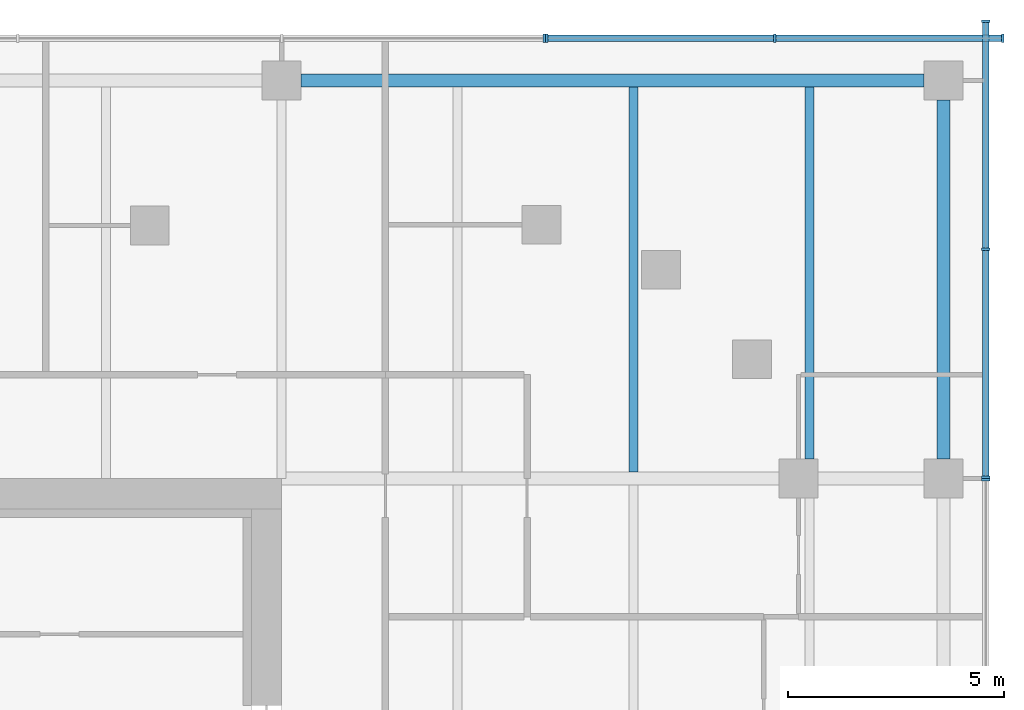
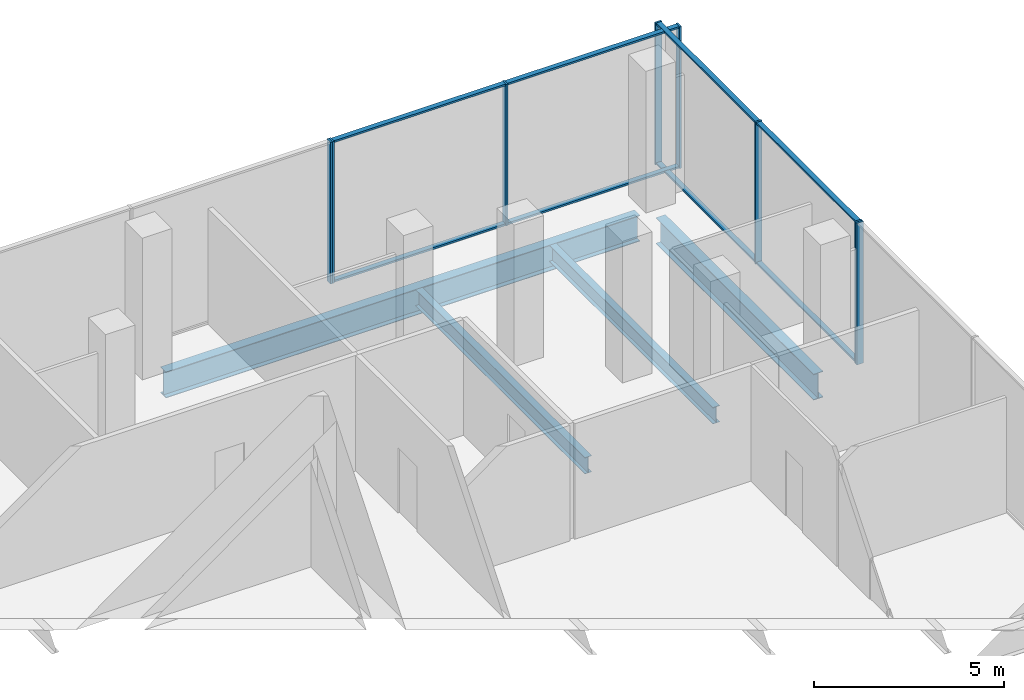
# One storey, part 15 of 33: 16 members, 4 beams, 4 elements without a shape of their own.
"""IFC4 building model written with IfcOpenShell, lengths in metres."""

from ifc_helpers import new_model, si_unit, direction, frame, origin, origin_2d, place, context, subcontext, project, spatial, rectangle, i_section, extrude, material, material_profile, profile_set, type_object, element, aggregate, save


model = new_model("IFC4")

# Units and contexts
model_context = context("Model", 3, precision=1e-05, world=origin(), true_north=direction((0.0, 1.0)))
body_context = subcontext(model_context, "Body", "Model", "MODEL_VIEW")
ifc_project = project(units=[si_unit("LENGTHUNIT", "METRE"), si_unit("AREAUNIT", "SQUARE_METRE"), si_unit("VOLUMEUNIT", "CUBIC_METRE"), si_unit("PLANEANGLEUNIT", "RADIAN"), si_unit("MASSUNIT", "GRAM", prefix="KILO")], contexts=[model_context])

# Site, building, storey
site_placement = place(None, origin())
site = spatial("IfcSite", under=ifc_project, at=site_placement, CompositionType="ELEMENT")
building_placement = place(site_placement, origin())
building = spatial("IfcBuilding", under=site, at=building_placement, Name="Tessera Gate Towers", CompositionType="ELEMENT")
storey_placement = place(building_placement, frame((0.0, 0.0, 7.199951171875)))
storey = spatial("IfcBuildingStorey", under=building, at=storey_placement, Name="L01", CompositionType="ELEMENT", Elevation=7.199951171875)

# Beams
ifc_material_1 = material(Name="Steel 350W", Category="steel")
ifc_material_profile_1 = material_profile(ifc_material_1, i_section(OverallWidth=0.2919921875, OverallDepth=0.8349609375, WebThickness=0.013916015625, FlangeThickness=0.018798828125, at=origin_2d()), Name="W840x176")
ifc_profile_set_1 = profile_set([ifc_material_profile_1], Name="Steel 350W")
beam_type_1 = type_object("IfcBeamType", Name="FLOOR GIRDER W840x176", PredefinedType="BEAM", material=ifc_profile_set_1)
beam_1_placement = place(storey_placement, frame((122.449951171875, 58.0, -0.66748046875), z_axis=(1.0, 0.0, 0.0), x_axis=(0.0, 1.0, 0.0)))
element("IfcBeam", 1, at=beam_1_placement, inside=storey, type_object=beam_type_1, Name="PD-GD-L01-234", PredefinedType="BEAM", context=body_context, shape_type="SweptSolid", body=[
    extrude(i_section(OverallWidth=0.2919921875, OverallDepth=0.8349609375, WebThickness=0.013916015625, FlangeThickness=0.018798828125, at=origin_2d()), origin(), (0.0, 0.0, 1.0), 14.400146484375),
])
beam_2_placement = place(storey_placement, frame((137.300048828125, 49.25, -0.66748046875), z_axis=(0.0, 1.0, 0.0), x_axis=(-1.0, 0.0, 0.0)))
element("IfcBeam", 2, at=beam_2_placement, inside=storey, type_object=beam_type_1, Name="PD-GD-L01-260", PredefinedType="BEAM", context=body_context, shape_type="SweptSolid", body=[
    extrude(i_section(OverallWidth=0.2919921875, OverallDepth=0.8349609375, WebThickness=0.013916015625, FlangeThickness=0.018798828125, at=origin_2d()), origin(), (0.0, 0.0, 1.0), 8.300048828125),
])
ifc_material_2 = material(Name="Steel 350W", Category="steel")
ifc_material_profile_2 = material_profile(ifc_material_2, i_section(OverallWidth=0.208984375, OverallDepth=0.528076171875, WebThickness=0.009521484375, FlangeThickness=0.01318359375, at=origin_2d()), Name="W530x82")
ifc_profile_set_2 = profile_set([ifc_material_profile_2], Name="Steel 350W")
beam_type_2 = type_object("IfcBeamType", Name="FLOOR SECONDARY W530x82", PredefinedType="BEAM", material=ifc_profile_set_2)
beam_3_placement = place(storey_placement, frame((130.13330078125, 48.946044921875, -0.513916015625), z_axis=(0.0, 1.0, 0.0), x_axis=(-1.0, 0.0, 0.0)))
element("IfcBeam", 3, at=beam_3_placement, inside=storey, type_object=beam_type_2, Name="PD-BM-L01-352", PredefinedType="BEAM", context=body_context, shape_type="SweptSolid", body=[
    extrude(i_section(OverallWidth=0.208984375, OverallDepth=0.528076171875, WebThickness=0.009521484375, FlangeThickness=0.01318359375, at=origin_2d()), origin(), (0.0, 0.0, 1.0), 8.907958984375),
])
beam_4_placement = place(storey_placement, frame((134.199951171875, 49.25, -0.513916015625), z_axis=(0.0, 1.0, 0.0), x_axis=(-1.0, 0.0, 0.0)))
element("IfcBeam", 4, at=beam_4_placement, inside=storey, type_object=beam_type_2, Name="PD-BM-L01-356", PredefinedType="BEAM", context=body_context, shape_type="SweptSolid", body=[
    extrude(i_section(OverallWidth=0.208984375, OverallDepth=0.528076171875, WebThickness=0.009521484375, FlangeThickness=0.01318359375, at=origin_2d()), origin(), (0.0, 0.0, 1.0), 8.60400390625),
])

# Curtain wall, member
ifc_material_3 = material(Name="Aluminium frame", Category="aluminium")
curtain_wall_type = type_object("IfcCurtainWallType", Name="CW-S1 podium storefront", PredefinedType="NOTDEFINED", material=ifc_material_3)
curtain_wall_1_placement = place(storey_placement, origin())
curtain_wall_1 = element("IfcCurtainWall", 5, at=curtain_wall_1_placement, inside=storey, type_object=curtain_wall_type, Name="Curtain wall podium storefront 0179", PredefinedType="NOTDEFINED")
ifc_material_4 = material(Name="Aluminium frame", Category="aluminium")
ifc_material_profile_3 = material_profile(ifc_material_4, rectangle(XDim=0.06005859375, YDim=0.199951171875, at=origin_2d()), Name="AL 60x200")
ifc_profile_set_3 = profile_set([ifc_material_profile_3], Name="Aluminium frame")
member_type_1 = type_object("IfcMemberType", Name="MU-S1 mullion 60x200", PredefinedType="MULLION", material=ifc_profile_set_3)
member_1_placement = place(storey_placement, frame((138.27490234375, 48.77001953125, 0.0), z_axis=(0.0, 0.0, 1.0), x_axis=(0.0, 1.0, 0.0)))
member_1 = element("IfcMember", 6, at=member_1_placement, type_object=member_type_1, Name="PD-CW1-0179 mullion 6", PredefinedType="MULLION", context=body_context, shape_type="SweptSolid", body=[
    extrude(rectangle(XDim=0.06005859375, YDim=0.199951171875, at=origin_2d()), origin(), (0.0, 0.0, 1.0), 4.550048828125),
])
aggregate(curtain_wall_1, [member_1])

# Curtain wall, members
curtain_wall_2_placement = place(storey_placement, origin())
curtain_wall_2 = element("IfcCurtainWall", 7, at=curtain_wall_2_placement, inside=storey, type_object=curtain_wall_type, Name="Curtain wall podium storefront 0182", PredefinedType="NOTDEFINED")
member_2_placement = place(storey_placement, frame((138.27490234375, 48.830078125, 0.0), z_axis=(0.0, 0.0, 1.0), x_axis=(0.0, 1.0, 0.0)))
member_2 = element("IfcMember", 8, at=member_2_placement, type_object=member_type_1, Name="PD-CW1-0182 mullion 1", PredefinedType="MULLION", context=body_context, shape_type="SweptSolid", body=[
    extrude(rectangle(XDim=0.06005859375, YDim=0.199951171875, at=origin_2d()), origin(), (0.0, 0.0, 1.0), 4.550048828125),
])
member_3_placement = place(storey_placement, frame((138.27490234375, 54.10009765625, 0.0), z_axis=(0.0, 0.0, 1.0), x_axis=(0.0, 1.0, 0.0)))
member_3 = element("IfcMember", 9, at=member_3_placement, type_object=member_type_1, Name="PD-CW1-0182 mullion 2", PredefinedType="MULLION", context=body_context, shape_type="SweptSolid", body=[
    extrude(rectangle(XDim=0.06005859375, YDim=0.199951171875, at=origin_2d()), origin(), (0.0, 0.0, 1.0), 4.550048828125),
])
member_4_placement = place(storey_placement, frame((138.27490234375, 59.3701171875, 0.0), z_axis=(0.0, 0.0, 1.0), x_axis=(0.0, 1.0, 0.0)))
member_4 = element("IfcMember", 10, at=member_4_placement, type_object=member_type_1, Name="PD-CW1-0182 mullion 3", PredefinedType="MULLION", context=body_context, shape_type="SweptSolid", body=[
    extrude(rectangle(XDim=0.06005859375, YDim=0.199951171875, at=origin_2d()), origin(), (0.0, 0.0, 1.0), 4.550048828125),
])

curtain_wall_3_placement = place(storey_placement, origin())
curtain_wall_3 = element("IfcCurtainWall", 11, at=curtain_wall_3_placement, inside=storey, type_object=curtain_wall_type, Name="Curtain wall podium storefront 0185", PredefinedType="NOTDEFINED")
member_5_placement = place(storey_placement, frame((138.669921875, 58.97509765625, 0.0), z_axis=(0.0, 0.0, 1.0), x_axis=(-1.0, 0.0, 0.0)))
member_5 = element("IfcMember", 12, at=member_5_placement, type_object=member_type_1, Name="PD-CW1-0185 mullion 1", PredefinedType="MULLION", context=body_context, shape_type="SweptSolid", body=[
    extrude(rectangle(XDim=0.06005859375, YDim=0.199951171875, at=origin_2d()), origin(), (0.0, 0.0, 1.0), 4.550048828125),
])
member_6_placement = place(storey_placement, frame((133.39990234375, 58.97509765625, 0.0), z_axis=(0.0, 0.0, 1.0), x_axis=(-1.0, 0.0, 0.0)))
member_6 = element("IfcMember", 13, at=member_6_placement, type_object=member_type_1, Name="PD-CW1-0185 mullion 2", PredefinedType="MULLION", context=body_context, shape_type="SweptSolid", body=[
    extrude(rectangle(XDim=0.06005859375, YDim=0.199951171875, at=origin_2d()), origin(), (0.0, 0.0, 1.0), 4.550048828125),
])
member_7_placement = place(storey_placement, frame((128.1298828125, 58.97509765625, 0.0), z_axis=(0.0, 0.0, 1.0), x_axis=(-1.0, 0.0, 0.0)))
member_7 = element("IfcMember", 14, at=member_7_placement, type_object=member_type_1, Name="PD-CW1-0185 mullion 3", PredefinedType="MULLION", context=body_context, shape_type="SweptSolid", body=[
    extrude(rectangle(XDim=0.06005859375, YDim=0.199951171875, at=origin_2d()), origin(), (0.0, 0.0, 1.0), 4.550048828125),
])

# Curtain wall, member
curtain_wall_4_placement = place(storey_placement, origin())
curtain_wall_4 = element("IfcCurtainWall", 15, at=curtain_wall_4_placement, inside=storey, type_object=curtain_wall_type, Name="Curtain wall podium storefront 0192", PredefinedType="NOTDEFINED")
member_8_placement = place(storey_placement, frame((128.070068359375, 58.97509765625, 0.0), z_axis=(0.0, 0.0, 1.0), x_axis=(-1.0, 0.0, 0.0)))
member_8 = element("IfcMember", 16, at=member_8_placement, type_object=member_type_1, Name="PD-CW1-0192 mullion 1", PredefinedType="MULLION", context=body_context, shape_type="SweptSolid", body=[
    extrude(rectangle(XDim=0.06005859375, YDim=0.199951171875, at=origin_2d()), origin(), (0.0, 0.0, 1.0), 4.550048828125),
])
aggregate(curtain_wall_4, [member_8])

# Member
ifc_material_5 = material(Name="Aluminium frame", Category="aluminium")
ifc_material_profile_4 = material_profile(ifc_material_5, rectangle(XDim=0.14990234375, YDim=0.06005859375, at=origin_2d()), Name="AL 60x150")
ifc_profile_set_4 = profile_set([ifc_material_profile_4], Name="Aluminium frame")
member_type_2 = type_object("IfcMemberType", Name="TR-S1 transom 60x150", PredefinedType="USERDEFINED", material=ifc_profile_set_4)
member_9_placement = place(storey_placement, frame((138.27490234375, 48.860107421875, 0.030029296875), z_axis=(0.0, 1.0, 0.0), x_axis=(-1.0, 0.0, 0.0)))
member_9 = element("IfcMember", 17, at=member_9_placement, type_object=member_type_2, Name="PD-CW1-0182 transom 1.1", ObjectType="TRANSOM", PredefinedType="USERDEFINED", context=body_context, shape_type="SweptSolid", body=[
    extrude(rectangle(XDim=0.14990234375, YDim=0.06005859375, at=origin_2d()), origin(), (0.0, 0.0, 1.0), 5.2099609375),
])

member_10_placement = place(storey_placement, frame((138.27490234375, 48.860107421875, 4.52001953125), z_axis=(0.0, 1.0, 0.0), x_axis=(-1.0, 0.0, 0.0)))
member_10 = element("IfcMember", 18, at=member_10_placement, type_object=member_type_2, Name="PD-CW1-0182 transom 1.2", ObjectType="TRANSOM", PredefinedType="USERDEFINED", context=body_context, shape_type="SweptSolid", body=[
    extrude(rectangle(XDim=0.14990234375, YDim=0.06005859375, at=origin_2d()), origin(), (0.0, 0.0, 1.0), 5.2099609375),
])

member_11_placement = place(storey_placement, frame((138.27490234375, 54.1298828125, 0.030029296875), z_axis=(0.0, 1.0, 0.0), x_axis=(-1.0, 0.0, 0.0)))
member_11 = element("IfcMember", 19, at=member_11_placement, type_object=member_type_2, Name="PD-CW1-0182 transom 2.1", ObjectType="TRANSOM", PredefinedType="USERDEFINED", context=body_context, shape_type="SweptSolid", body=[
    extrude(rectangle(XDim=0.14990234375, YDim=0.06005859375, at=origin_2d()), origin(), (0.0, 0.0, 1.0), 5.210205078125),
])

member_12_placement = place(storey_placement, frame((138.27490234375, 54.1298828125, 4.52001953125), z_axis=(0.0, 1.0, 0.0), x_axis=(-1.0, 0.0, 0.0)))
member_12 = element("IfcMember", 20, at=member_12_placement, type_object=member_type_2, Name="PD-CW1-0182 transom 2.2", ObjectType="TRANSOM", PredefinedType="USERDEFINED", context=body_context, shape_type="SweptSolid", body=[
    extrude(rectangle(XDim=0.14990234375, YDim=0.06005859375, at=origin_2d()), origin(), (0.0, 0.0, 1.0), 5.210205078125),
])

aggregate(curtain_wall_2, [member_2, member_3, member_4, member_9, member_10, member_11, member_12])

member_13_placement = place(storey_placement, frame((138.639892578125, 58.97509765625, 0.030029296875), z_axis=(-1.0, 0.0, 0.0), x_axis=(0.0, -1.0, 0.0)))
member_13 = element("IfcMember", 21, at=member_13_placement, type_object=member_type_2, Name="PD-CW1-0185 transom 1.1", ObjectType="TRANSOM", PredefinedType="USERDEFINED", context=body_context, shape_type="SweptSolid", body=[
    extrude(rectangle(XDim=0.14990234375, YDim=0.06005859375, at=origin_2d()), origin(), (0.0, 0.0, 1.0), 5.2099609375),
])

member_14_placement = place(storey_placement, frame((138.639892578125, 58.97509765625, 4.52001953125), z_axis=(-1.0, 0.0, 0.0), x_axis=(0.0, -1.0, 0.0)))
member_14 = element("IfcMember", 22, at=member_14_placement, type_object=member_type_2, Name="PD-CW1-0185 transom 1.2", ObjectType="TRANSOM", PredefinedType="USERDEFINED", context=body_context, shape_type="SweptSolid", body=[
    extrude(rectangle(XDim=0.14990234375, YDim=0.06005859375, at=origin_2d()), origin(), (0.0, 0.0, 1.0), 5.2099609375),
])

member_15_placement = place(storey_placement, frame((133.3701171875, 58.97509765625, 0.030029296875), z_axis=(-1.0, 0.0, 0.0), x_axis=(0.0, -1.0, 0.0)))
member_15 = element("IfcMember", 23, at=member_15_placement, type_object=member_type_2, Name="PD-CW1-0185 transom 2.1", ObjectType="TRANSOM", PredefinedType="USERDEFINED", context=body_context, shape_type="SweptSolid", body=[
    extrude(rectangle(XDim=0.14990234375, YDim=0.06005859375, at=origin_2d()), origin(), (0.0, 0.0, 1.0), 5.210205078125),
])

member_16_placement = place(storey_placement, frame((133.3701171875, 58.97509765625, 4.52001953125), z_axis=(-1.0, 0.0, 0.0), x_axis=(0.0, -1.0, 0.0)))
member_16 = element("IfcMember", 24, at=member_16_placement, type_object=member_type_2, Name="PD-CW1-0185 transom 2.2", ObjectType="TRANSOM", PredefinedType="USERDEFINED", context=body_context, shape_type="SweptSolid", body=[
    extrude(rectangle(XDim=0.14990234375, YDim=0.06005859375, at=origin_2d()), origin(), (0.0, 0.0, 1.0), 5.210205078125),
])

aggregate(curtain_wall_3, [member_5, member_6, member_7, member_13, member_14, member_15, member_16])

save(model, "model.ifc")
